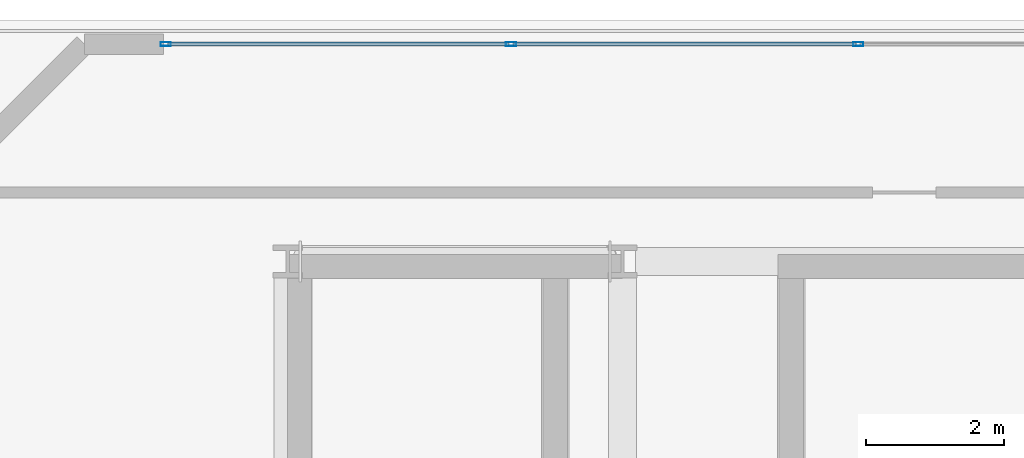
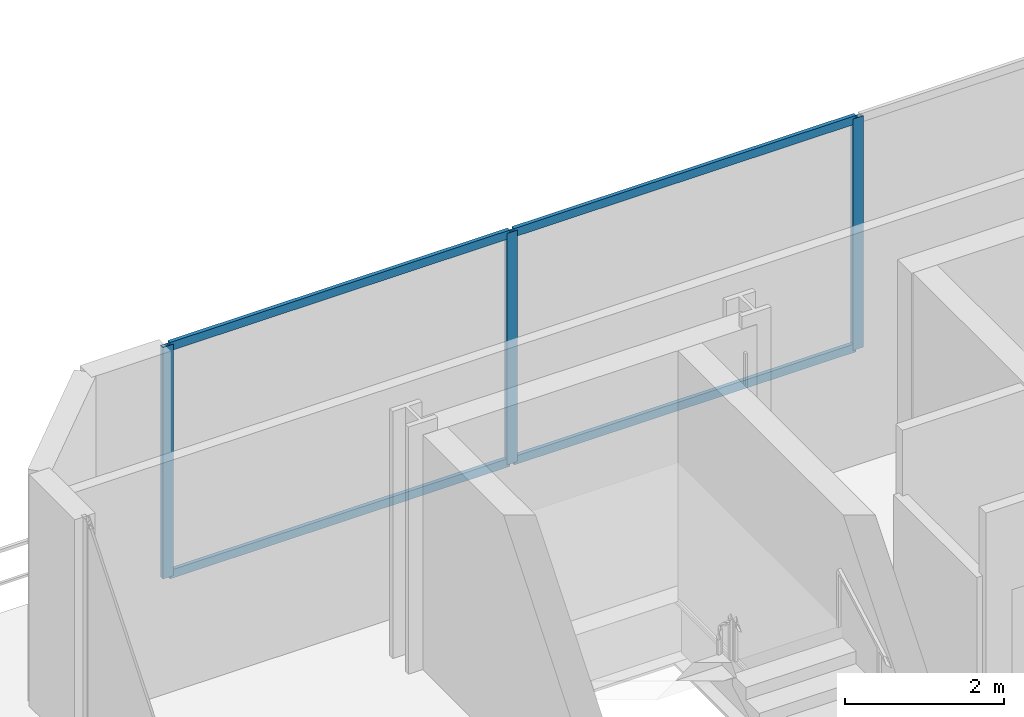
# One storey, part 8 of 12: 7 members, 1 element without a shape of its own.
"""IFC4 building model written with IfcOpenShell, lengths in metres."""

from ifc_helpers import new_model, si_unit, direction, frame, origin, origin_2d, place, context, subcontext, project, spatial, hollow_rectangle, extrude, material, layer, layer_set, material_profile, profile_set, type_object, element, aggregate, save


model = new_model("IFC4")

# Units and contexts
model_context = context("Model", 3, precision=1e-05, world=origin(), true_north=direction((0.0, 1.0)))
body_context = subcontext(model_context, "Body", "Model", "MODEL_VIEW")
ifc_project = project(units=[si_unit("LENGTHUNIT", "METRE"), si_unit("AREAUNIT", "SQUARE_METRE"), si_unit("VOLUMEUNIT", "CUBIC_METRE"), si_unit("PLANEANGLEUNIT", "RADIAN"), si_unit("MASSUNIT", "GRAM", prefix="KILO")], contexts=[model_context])

# Site, building, storey
site_placement = place(None, origin())
site = spatial("IfcSite", under=ifc_project, at=site_placement, CompositionType="ELEMENT")
building_placement = place(site_placement, origin())
building = spatial("IfcBuilding", under=site, at=building_placement, Name="Zuhayl Quay Hotel", CompositionType="ELEMENT")
storey_placement = place(building_placement, frame((0.0, 0.0, 312.449951171875)))
storey = spatial("IfcBuildingStorey", under=building, at=storey_placement, Name="Crown 5", CompositionType="ELEMENT", Elevation=312.449951171875)

# Curtain wall, members
ifc_material_1 = material(Name="Anodised Aluminium 6063-T6", Category="aluminium")
ifc_layer = layer(ifc_material_1, 0.159912109375, Name="Anodised Aluminium 6063-T6", Category="aluminium")
ifc_layer_set = layer_set([ifc_layer], Name="Anodised Aluminium 6063-T6")
curtain_wall_type = type_object("IfcCurtainWallType", Name="CW_SYS_CRN", PredefinedType="USERDEFINED", material=ifc_layer_set)
curtain_wall_placement = place(storey_placement, origin())
curtain_wall = element("IfcCurtainWall", 1, at=curtain_wall_placement, inside=storey, type_object=curtain_wall_type, Name="Crown 5 Curtain Wall ENV_CR5_E3_CW1", ObjectType="UNITISED CURTAIN WALL", PredefinedType="USERDEFINED")
ifc_material_2 = material(Name="Black-anodised aluminium 6063-T6", Category="aluminium")
ifc_material_profile_1 = material_profile(ifc_material_2, hollow_rectangle(XDim=0.06005859375, YDim=0.14990234375, WallThickness=0.00341796875, at=origin_2d()), Name="ALU150X60")
ifc_profile_set_1 = profile_set([ifc_material_profile_1], Name="Black-anodised aluminium 6063-T6")
member_type_1 = type_object("IfcMemberType", Name="MB_CW_MUL_150", PredefinedType="MULLION", material=ifc_profile_set_1)
member_1_placement = place(storey_placement, frame((-11.219970703125, 37.60009765625, 0.0), z_axis=(0.0, 0.0, 1.0), x_axis=(0.0, 1.0, 0.0)))
member_1 = element("IfcMember", 2, at=member_1_placement, type_object=member_type_1, Name="CW-CRN mullion 1", PredefinedType="MULLION", context=body_context, shape_type="SweptSolid", body=[
    extrude(hollow_rectangle(XDim=0.06005859375, YDim=0.14990234375, WallThickness=0.00341796875, at=origin_2d()), origin(), (0.0, 0.0, 1.0), 3.56005859375),
])
member_2_placement = place(storey_placement, frame((-6.216552734375, 37.60009765625, 0.0), z_axis=(0.0, 0.0, 1.0), x_axis=(0.0, 1.0, 0.0)))
member_2 = element("IfcMember", 3, at=member_2_placement, type_object=member_type_1, Name="CW-CRN mullion 2", PredefinedType="MULLION", context=body_context, shape_type="SweptSolid", body=[
    extrude(hollow_rectangle(XDim=0.06005859375, YDim=0.14990234375, WallThickness=0.00341796875, at=origin_2d()), origin(), (0.0, 0.0, 1.0), 3.56005859375),
])
member_3_placement = place(storey_placement, frame((-1.183349609375, 37.60009765625, 0.0), z_axis=(0.0, 0.0, 1.0), x_axis=(0.0, 1.0, 0.0)))
member_3 = element("IfcMember", 4, at=member_3_placement, type_object=member_type_1, Name="CW-CRN mullion 3", PredefinedType="MULLION", context=body_context, shape_type="SweptSolid", body=[
    extrude(hollow_rectangle(XDim=0.06005859375, YDim=0.14990234375, WallThickness=0.00341796875, at=origin_2d()), origin(), (0.0, 0.0, 1.0), 3.56005859375),
])
ifc_material_profile_2 = material_profile(ifc_material_2, hollow_rectangle(XDim=0.054931640625, YDim=0.1298828125, WallThickness=0.0029296875, at=origin_2d()), Name="ALU130X55")
ifc_profile_set_2 = profile_set([ifc_material_profile_2], Name="Black-anodised aluminium 6063-T6")
member_type_2 = type_object("IfcMemberType", Name="MB_CW_TRN_130", PredefinedType="USERDEFINED", material=ifc_profile_set_2)
member_4_placement = place(storey_placement, frame((-11.18994140625, 37.60009765625, 0.027587890625), z_axis=(1.0, 0.0, 0.0), x_axis=(0.0, 1.0, 0.0)))
member_4 = element("IfcMember", 5, at=member_4_placement, type_object=member_type_2, Name="CW-CRN transom 1.1", ObjectType="TRANSOM", PredefinedType="USERDEFINED", context=body_context, shape_type="SweptSolid", body=[
    extrude(hollow_rectangle(XDim=0.054931640625, YDim=0.1298828125, WallThickness=0.0029296875, at=origin_2d()), origin(), (0.0, 0.0, 1.0), 4.943359375),
])
member_5_placement = place(storey_placement, frame((-11.18994140625, 37.60009765625, 3.532470703125), z_axis=(1.0, 0.0, 0.0), x_axis=(0.0, 1.0, 0.0)))
member_5 = element("IfcMember", 6, at=member_5_placement, type_object=member_type_2, Name="CW-CRN transom 1.2", ObjectType="TRANSOM", PredefinedType="USERDEFINED", context=body_context, shape_type="SweptSolid", body=[
    extrude(hollow_rectangle(XDim=0.054931640625, YDim=0.1298828125, WallThickness=0.0029296875, at=origin_2d()), origin(), (0.0, 0.0, 1.0), 4.943359375),
])
member_6_placement = place(storey_placement, frame((-6.186767578125, 37.60009765625, 0.027587890625), z_axis=(1.0, 0.0, 0.0), x_axis=(0.0, 1.0, 0.0)))
member_6 = element("IfcMember", 7, at=member_6_placement, type_object=member_type_2, Name="CW-CRN transom 2.1", ObjectType="TRANSOM", PredefinedType="USERDEFINED", context=body_context, shape_type="SweptSolid", body=[
    extrude(hollow_rectangle(XDim=0.054931640625, YDim=0.1298828125, WallThickness=0.0029296875, at=origin_2d()), origin(), (0.0, 0.0, 1.0), 4.973388671875),
])
member_7_placement = place(storey_placement, frame((-6.186767578125, 37.60009765625, 3.532470703125), z_axis=(1.0, 0.0, 0.0), x_axis=(0.0, 1.0, 0.0)))
member_7 = element("IfcMember", 8, at=member_7_placement, type_object=member_type_2, Name="CW-CRN transom 2.2", ObjectType="TRANSOM", PredefinedType="USERDEFINED", context=body_context, shape_type="SweptSolid", body=[
    extrude(hollow_rectangle(XDim=0.054931640625, YDim=0.1298828125, WallThickness=0.0029296875, at=origin_2d()), origin(), (0.0, 0.0, 1.0), 4.973388671875),
])
aggregate(curtain_wall, [member_1, member_2, member_3, member_4, member_5, member_6, member_7])

save(model, "model.ifc")
